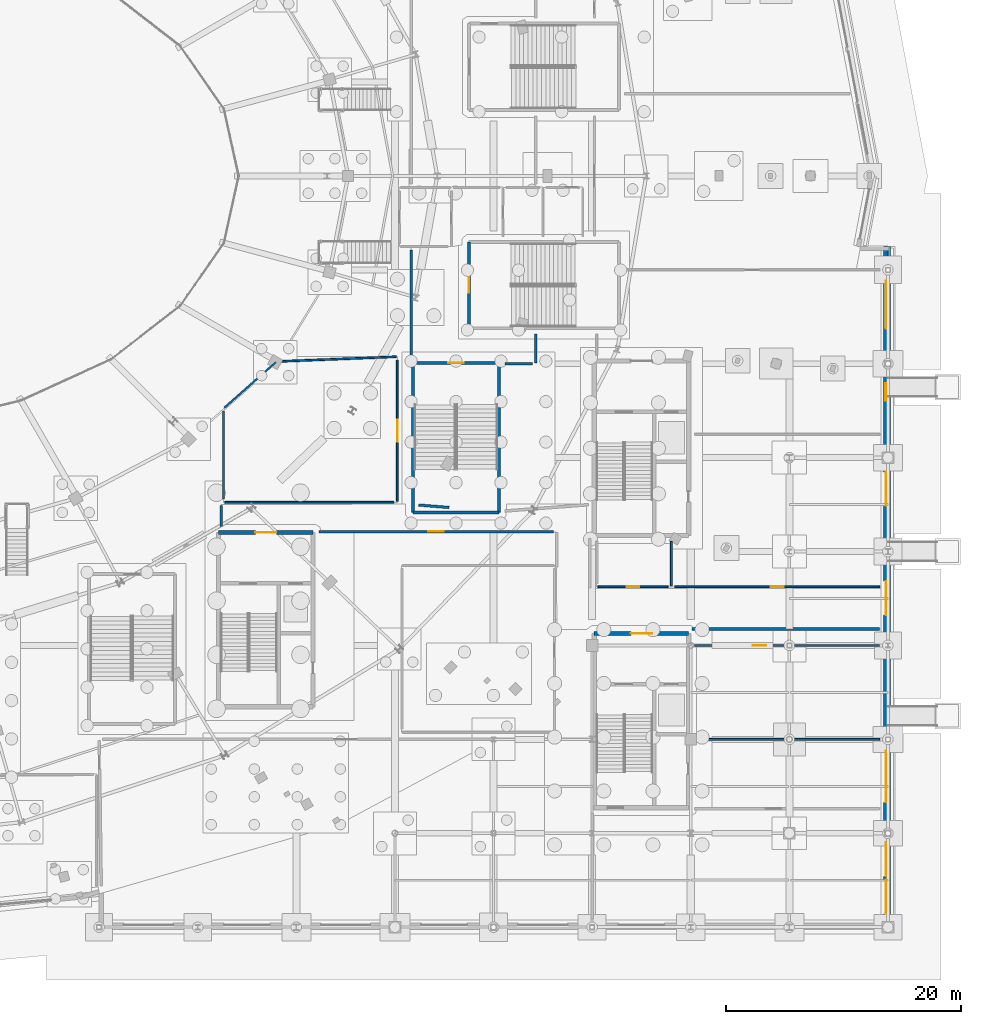
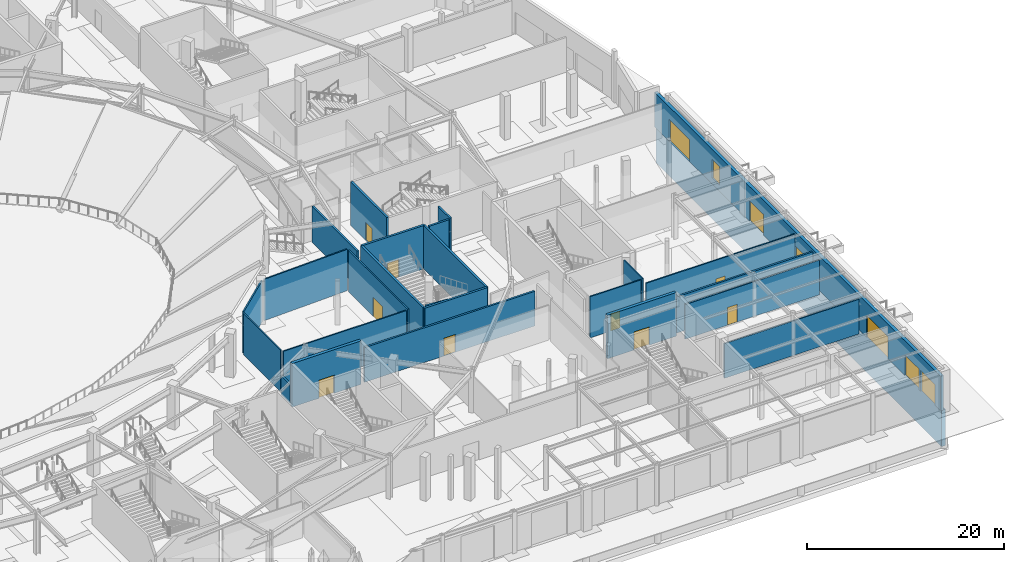
# One storey, part 61 of 93: 26 walls, 15 doors, 1 window, 16 openings.
"""IFC4 building model written with IfcOpenShell, lengths in metres."""

from ifc_helpers import new_model, si_unit, direction, frame, frame_2d, origin, place, context, subcontext, project, spatial, rectangle, extrude, material, layer, layer_set, type_object, element, fill, save


model = new_model("IFC4")

# Units and contexts
model_context = context("Model", 3, precision=1e-05, world=origin(), true_north=direction((0.0, 1.0)))
body_context = subcontext(model_context, "Body", "Model", "MODEL_VIEW")
ifc_project = project(units=[si_unit("LENGTHUNIT", "METRE"), si_unit("AREAUNIT", "SQUARE_METRE"), si_unit("VOLUMEUNIT", "CUBIC_METRE"), si_unit("PLANEANGLEUNIT", "RADIAN"), si_unit("MASSUNIT", "GRAM", prefix="KILO")], contexts=[model_context])

# Site, building, storey
site_placement = place(None, origin())
site = spatial("IfcSite", under=ifc_project, at=site_placement, CompositionType="ELEMENT")
building_placement = place(site_placement, origin())
building = spatial("IfcBuilding", under=site, at=building_placement, Name="Kalgoora Escarpment Arena", CompositionType="ELEMENT")
storey_placement = place(building_placement, origin())
storey = spatial("IfcBuildingStorey", under=building, at=storey_placement, Name="L00", CompositionType="ELEMENT", Elevation=0.0)

# Walls
ifc_material_1 = material(Name="Impact-resistant athlete corridor partition", Category="gypsum")
ifc_layer_1 = layer(ifc_material_1, 0.155029296875)
ifc_layer_set_1 = layer_set([ifc_layer_1], Name="WAL-BOH-155")
wall_type_1 = type_object("IfcWallType", Name="WAL-BOH-155", PredefinedType="PARTITIONING", material=ifc_layer_set_1)
wall_1_placement = place(storey_placement, frame((128.260009765625, 44.249755859375, 0.0), z_axis=(0.0, 0.0, 1.0), x_axis=(0.74963646176, 0.661849813175, 0.0)))
element("IfcWall", 1, at=wall_1_placement, inside=storey, type_object=wall_type_1, Name="L00 Practice Court partition wall", PredefinedType="PARTITIONING", context=body_context, shape_type="SweptSolid", body=[
    extrude(rectangle(XDim=5.87353515625, YDim=0.155029296875, at=frame_2d((2.936767578125, 0.0))), origin(), (0.0, 0.0, 1.0), 5.1201171875),
])
wall_2_placement = place(storey_placement, frame((132.95458984375, 48.19921875, 0.0), z_axis=(0.0, 0.0, 1.0), x_axis=(0.999205605293, 0.039851704486, 0.0)))
element("IfcWall", 2, at=wall_2_placement, inside=storey, type_object=wall_type_1, Name="L00 Practice Court partition wall", PredefinedType="PARTITIONING", context=body_context, shape_type="SweptSolid", body=[
    extrude(rectangle(XDim=9.973388671875, YDim=0.155029296875, at=frame_2d((4.98681640625, 0.0))), origin(), (0.0, 0.0, 1.0), 5.1201171875),
])

# Wall, opening, door
wall_3_placement = place(storey_placement, frame((143.0, 48.31201171875, 0.0), z_axis=(0.0, 0.0, 1.0), x_axis=(0.0, -1.0, 0.0)))
wall_3 = element("IfcWall", 3, at=wall_3_placement, inside=storey, type_object=wall_type_1, Name="L00 Practice Court partition wall", PredefinedType="PARTITIONING", context=body_context, shape_type="SweptSolid", body=[
    extrude(rectangle(XDim=12.031982421875, YDim=0.155029296875, at=frame_2d((6.01611328125, 0.0))), origin(), (0.0, 0.0, 1.0), 5.1201171875),
])
opening_1_placement = place(wall_3_placement, frame((5.06591796875, 0.0, 0.0)))
opening_1 = element("IfcOpeningElement", 4, at=opening_1_placement, cuts=wall_3, Name="Opening FD-I009", PredefinedType="OPENING", context=body_context, shape_type="SweptSolid", body=[
    extrude(rectangle(XDim=1.89990234375, YDim=2.35009765625, at=frame_2d((0.949951171875, 1.175048828125))), frame((0.0, 0.08740234375, 0.0), z_axis=(0.0, -1.0, 0.0), x_axis=(1.0, 0.0, 0.0)), (0.0, 0.0, 1.0), 0.175048828125),
])
ifc_material_2 = material(Name="Wide double athlete & equipment hall door")
door_type_1 = type_object("IfcDoorType", Name="DR-ATH-1900", OperationType="NOTDEFINED", PredefinedType="DOOR", material=ifc_material_2)
door_1_placement = place(opening_1_placement, origin())
door_1 = element("IfcDoor", 5, at=door_1_placement, inside=storey, type_object=door_type_1, Name="Practice Court entrance door", OperationType="DOUBLE_DOOR_SINGLE_SWING", OverallHeight=2.35009765625, OverallWidth=1.89990234375, PredefinedType="DOOR", context=body_context, shape_type="SweptSolid", body=[
    extrude(rectangle(XDim=1.89990234375, YDim=2.35009765625, at=frame_2d((0.949951171875, 1.175048828125))), frame((0.0, 0.02490234375, 0.0), z_axis=(0.0, -1.0, 0.0), x_axis=(1.0, 0.0, 0.0)), (0.0, 0.0, 1.0), 0.050048828125),
])
fill(opening_1, door_1)

# Walls
wall_4_placement = place(storey_placement, frame((142.715087890625, 36.199951171875, 0.0), z_axis=(0.0, 0.0, 1.0), x_axis=(-1.0, 0.0, 0.0)))
element("IfcWall", 6, at=wall_4_placement, inside=storey, type_object=wall_type_1, Name="L00 Practice Court partition wall", PredefinedType="PARTITIONING", context=body_context, shape_type="SweptSolid", body=[
    extrude(rectangle(XDim=14.43505859375, YDim=0.155029296875, at=frame_2d((7.217529296875, 0.0))), origin(), (0.0, 0.0, 1.0), 5.1201171875),
])
wall_5_placement = place(storey_placement, frame((128.199951171875, 36.48486328125, 0.0), z_axis=(0.0, 0.0, 1.0), x_axis=(0.0, 1.0, 0.0)))
element("IfcWall", 7, at=wall_5_placement, inside=storey, type_object=wall_type_1, Name="L00 Practice Court partition wall", PredefinedType="PARTITIONING", context=body_context, shape_type="SweptSolid", body=[
    extrude(rectangle(XDim=7.473388671875, YDim=0.155029296875, at=frame_2d((3.73681640625, 0.0))), origin(), (0.0, 0.0, 1.0), 5.1201171875),
])
wall_6_placement = place(storey_placement, frame((166.35009765625, 32.875, 0.0), z_axis=(0.0, 0.0, 1.0), x_axis=(0.0, -1.0, 0.0)))
element("IfcWall", 8, at=wall_6_placement, inside=storey, type_object=wall_type_1, Name="L00 Strength Conditioning Gym partition wall", PredefinedType="PARTITIONING", context=body_context, shape_type="SweptSolid", body=[
    extrude(rectangle(XDim=3.794921875, YDim=0.155029296875, at=frame_2d((1.8974609375, 0.0))), origin(), (0.0, 0.0, 1.0), 5.1201171875),
])

# Wall, opening, door
wall_7_placement = place(storey_placement, frame((166.065185546875, 29.0, 0.0), z_axis=(0.0, 0.0, 1.0), x_axis=(-1.0, 0.0, 0.0)))
wall_7 = element("IfcWall", 9, at=wall_7_placement, inside=storey, type_object=wall_type_1, Name="L00 Strength Conditioning Gym partition wall", PredefinedType="PARTITIONING", context=body_context, shape_type="SweptSolid", body=[
    extrude(rectangle(XDim=5.985107421875, YDim=0.155029296875, at=frame_2d((2.99267578125, 0.0))), origin(), (0.0, 0.0, 1.0), 5.1201171875),
])
opening_2_placement = place(wall_7_placement, frame((2.45263671875, 0.0, 0.0)))
opening_2 = element("IfcOpeningElement", 10, at=opening_2_placement, cuts=wall_7, Name="Opening FD-I015", PredefinedType="OPENING", context=body_context, shape_type="SweptSolid", body=[
    extrude(rectangle(XDim=1.080078125, YDim=2.14990234375, at=frame_2d((0.5400390625, 1.074951171875))), frame((0.0, 0.08740234375, 0.0), z_axis=(0.0, -1.0, 0.0), x_axis=(1.0, 0.0, 0.0)), (0.0, 0.0, 1.0), 0.175048828125),
])
ifc_material_3 = material(Name="Solid-core acoustic timber door", Category="wood")
door_type_2 = type_object("IfcDoorType", Name="DR-GEN-1080", OperationType="NOTDEFINED", PredefinedType="DOOR", material=ifc_material_3)
door_2_placement = place(opening_2_placement, origin())
door_2 = element("IfcDoor", 11, at=door_2_placement, inside=storey, type_object=door_type_2, Name="Strength Conditioning Gym entrance door", OperationType="SINGLE_SWING_RIGHT", OverallHeight=2.14990234375, OverallWidth=1.080078125, PredefinedType="DOOR", context=body_context, shape_type="SweptSolid", body=[
    extrude(rectangle(XDim=1.080078125, YDim=2.14990234375, at=frame_2d((0.5400390625, 1.074951171875))), frame((0.0, 0.02490234375, 0.0), z_axis=(0.0, -1.0, 0.0), x_axis=(1.0, 0.0, 0.0)), (0.0, 0.0, 1.0), 0.050048828125),
])
fill(opening_2, door_2)

wall_8_placement = place(storey_placement, frame((184.090087890625, 29.0, 0.0), z_axis=(0.0, 0.0, 1.0), x_axis=(-1.0, 0.0, 0.0)))
wall_8 = element("IfcWall", 12, at=wall_8_placement, inside=storey, type_object=wall_type_1, Name="L00 Strength Conditioning Gym 2 partition wall", PredefinedType="PARTITIONING", context=body_context, shape_type="SweptSolid", body=[
    extrude(rectangle(XDim=17.455322265625, YDim=0.155029296875, at=frame_2d((8.7275390625, 0.0))), origin(), (0.0, 0.0, 1.0), 4.48291015625),
])
opening_3_placement = place(wall_8_placement, frame((8.1875, 0.0, 0.0)))
opening_3 = element("IfcOpeningElement", 13, at=opening_3_placement, cuts=wall_8, Name="Opening FD-I016", PredefinedType="OPENING", context=body_context, shape_type="SweptSolid", body=[
    extrude(rectangle(XDim=1.080078125, YDim=2.14990234375, at=frame_2d((0.5400390625, 1.074951171875))), frame((0.0, 0.08740234375, 0.0), z_axis=(0.0, -1.0, 0.0), x_axis=(1.0, 0.0, 0.0)), (0.0, 0.0, 1.0), 0.175048828125),
])
door_3_placement = place(opening_3_placement, origin())
door_3 = element("IfcDoor", 14, at=door_3_placement, inside=storey, type_object=door_type_2, Name="Strength Conditioning Gym 2 entrance door", OperationType="SINGLE_SWING_LEFT", OverallHeight=2.14990234375, OverallWidth=1.080078125, PredefinedType="DOOR", context=body_context, shape_type="SweptSolid", body=[
    extrude(rectangle(XDim=1.080078125, YDim=2.14990234375, at=frame_2d((0.5400390625, 1.074951171875))), frame((0.0, 0.02490234375, 0.0), z_axis=(0.0, -1.0, 0.0), x_axis=(1.0, 0.0, 0.0)), (0.0, 0.0, 1.0), 0.050048828125),
])
fill(opening_3, door_3)

ifc_material_4 = material(Name="Concrete N50 (fc' 50 MPa)", Category="concrete")
ifc_layer_2 = layer(ifc_material_4, 0.35009765625)
ifc_layer_set_2 = layer_set([ifc_layer_2], Name="WAL-CORE-350")
wall_type_2 = type_object("IfcWallType", Name="WAL-CORE-350", PredefinedType="SHEAR", material=ifc_layer_set_2)
wall_9_placement = place(storey_placement, frame((127.77490234375, 33.625, 0.0), z_axis=(0.0, 0.0, 1.0), x_axis=(1.0, 0.0, 0.0)))
wall_9 = element("IfcWall", 15, at=wall_9_placement, inside=storey, type_object=wall_type_2, Name="Core C6 L00 north lobby wall", PredefinedType="SHEAR", context=body_context, shape_type="SweptSolid", body=[
    extrude(rectangle(XDim=8.050048828125, YDim=0.35009765625, at=frame_2d((4.02490234375, 0.0))), origin(), (0.0, 0.0, 1.0), 5.39990234375),
])
opening_4_placement = place(wall_9_placement, frame((3.125, 0.0, 0.0)))
opening_4 = element("IfcOpeningElement", 16, at=opening_4_placement, cuts=wall_9, Name="Opening FD-C6L", PredefinedType="OPENING", context=body_context, shape_type="SweptSolid", body=[
    extrude(rectangle(XDim=1.800048828125, YDim=2.25, at=frame_2d((0.89990234375, 1.125))), frame((0.0, 0.18505859375, 0.0), z_axis=(0.0, -1.0, 0.0), x_axis=(1.0, 0.0, 0.0)), (0.0, 0.0, 1.0), 0.3701171875),
])
ifc_material_5 = material(Name="Double fire-rated smoke-seal lobby door")
door_type_3 = type_object("IfcDoorType", Name="DR-LOBBY-1800", OperationType="NOTDEFINED", PredefinedType="DOOR", material=ifc_material_5)
door_4_placement = place(opening_4_placement, origin())
door_4 = element("IfcDoor", 17, at=door_4_placement, inside=storey, type_object=door_type_3, Name="Core C6 L00 smoke-lobby fire door", OperationType="DOUBLE_DOOR_SINGLE_SWING", OverallHeight=2.25, OverallWidth=1.800048828125, PredefinedType="DOOR", context=body_context, shape_type="SweptSolid", body=[
    extrude(rectangle(XDim=1.800048828125, YDim=2.25, at=frame_2d((0.89990234375, 1.125))), frame((0.0, 0.02490234375, 0.0), z_axis=(0.0, -1.0, 0.0), x_axis=(1.0, 0.0, 0.0)), (0.0, 0.0, 1.0), 0.050048828125),
])
fill(opening_4, door_4)

wall_10_placement = place(storey_placement, frame((159.77490234375, 25.02490234375, 0.0), z_axis=(0.0, 0.0, 1.0), x_axis=(1.0, 0.0, 0.0)))
wall_10 = element("IfcWall", 18, at=wall_10_placement, inside=storey, type_object=wall_type_2, Name="Core C8 L00 north lobby wall", PredefinedType="SHEAR", context=body_context, shape_type="SweptSolid", body=[
    extrude(rectangle(XDim=8.050048828125, YDim=0.35009765625, at=frame_2d((4.02490234375, 0.0))), origin(), (0.0, 0.0, 1.0), 5.39990234375),
])
opening_5_placement = place(wall_10_placement, frame((3.125, 0.0, 0.0)))
opening_5 = element("IfcOpeningElement", 19, at=opening_5_placement, cuts=wall_10, Name="Opening FD-C8L", PredefinedType="OPENING", context=body_context, shape_type="SweptSolid", body=[
    extrude(rectangle(XDim=1.800048828125, YDim=2.25, at=frame_2d((0.89990234375, 1.125))), frame((0.0, 0.18505859375, 0.0), z_axis=(0.0, -1.0, 0.0), x_axis=(1.0, 0.0, 0.0)), (0.0, 0.0, 1.0), 0.3701171875),
])
door_5_placement = place(opening_5_placement, origin())
door_5 = element("IfcDoor", 20, at=door_5_placement, inside=storey, type_object=door_type_3, Name="Core C8 L00 smoke-lobby fire door", OperationType="DOUBLE_DOOR_SINGLE_SWING", OverallHeight=2.25, OverallWidth=1.800048828125, PredefinedType="DOOR", context=body_context, shape_type="SweptSolid", body=[
    extrude(rectangle(XDim=1.800048828125, YDim=2.25, at=frame_2d((0.89990234375, 1.125))), frame((0.0, 0.02490234375, 0.0), z_axis=(0.0, -1.0, 0.0), x_axis=(1.0, 0.0, 0.0)), (0.0, 0.0, 1.0), 0.050048828125),
])
fill(opening_5, door_5)

# Wall, openings, doors, window
ifc_material_6 = material(Name="Cream limestone-faced precast concrete 40 MPa", Category="masonry")
ifc_layer_3 = layer(ifc_material_6, 0.360107421875)
ifc_layer_set_3 = layer_set([ifc_layer_3], Name="WAL-EXT-360")
wall_type_3 = type_object("IfcWallType", Name="WAL-EXT-360", PredefinedType="SOLIDWALL", material=ifc_layer_set_3)
wall_11_placement = place(storey_placement, frame((184.6201171875, 58.043212890625, 0.0), z_axis=(0.0, 0.0, 1.0), x_axis=(0.0, -1.0, 0.0)))
wall_11 = element("IfcWall", 21, at=wall_11_placement, inside=storey, type_object=wall_type_3, Name="L00 limestone-faced external wall 001", PredefinedType="SOLIDWALL", context=body_context, shape_type="SweptSolid", body=[
    extrude(rectangle(XDim=58.08642578125, YDim=0.360107421875, at=frame_2d((29.043212890625, 0.0))), origin(), (0.0, 0.0, 1.0), 4.294921875),
])
opening_6_placement = place(wall_11_placement, frame((50.81005859375, 0.0, 0.0)))
opening_6 = element("IfcOpeningElement", 22, at=opening_6_placement, cuts=wall_11, Name="Opening G06", PredefinedType="OPENING", context=body_context, shape_type="SweptSolid", body=[
    extrude(rectangle(XDim=2.89990234375, YDim=2.550048828125, at=frame_2d((1.449951171875, 1.27490234375))), frame((0.0, 0.18994140625, 0.0), z_axis=(0.0, -1.0, 0.0), x_axis=(1.0, 0.0, 0.0)), (0.0, 0.0, 1.0), 0.380126953125),
])
opening_7_placement = place(wall_11_placement, frame((28.56005859375, 0.0, 0.0)))
opening_7 = element("IfcOpeningElement", 23, at=opening_7_placement, cuts=wall_11, Name="Opening G07", PredefinedType="OPENING", context=body_context, shape_type="SweptSolid", body=[
    extrude(rectangle(XDim=2.89990234375, YDim=2.550048828125, at=frame_2d((1.449951171875, 1.27490234375))), frame((0.0, 0.18994140625, 0.0), z_axis=(0.0, -1.0, 0.0), x_axis=(1.0, 0.0, 0.0)), (0.0, 0.0, 1.0), 0.380126953125),
])
opening_8_placement = place(wall_11_placement, frame((2.97998046875, 0.0, 0.0)))
opening_8 = element("IfcOpeningElement", 24, at=opening_8_placement, cuts=wall_11, Name="Opening G12", PredefinedType="OPENING", context=body_context, shape_type="SweptSolid", body=[
    extrude(rectangle(XDim=4.10009765625, YDim=2.699951171875, at=frame_2d((2.050048828125, 1.35009765625))), frame((0.0, 0.18994140625, 0.0), z_axis=(0.0, -1.0, 0.0), x_axis=(1.0, 0.0, 0.0)), (0.0, 0.0, 1.0), 0.380126953125),
])
opening_9_placement = place(wall_11_placement, frame((43.02001953125, 0.0, 0.0)))
opening_9 = element("IfcOpeningElement", 25, at=opening_9_placement, cuts=wall_11, Name="Opening G13", PredefinedType="OPENING", context=body_context, shape_type="SweptSolid", body=[
    extrude(rectangle(XDim=4.39990234375, YDim=2.75, at=frame_2d((2.199951171875, 1.375))), frame((0.0, 0.18994140625, 0.0), z_axis=(0.0, -1.0, 0.0), x_axis=(1.0, 0.0, 0.0)), (0.0, 0.0, 1.0), 0.380126953125),
])
opening_10_placement = place(wall_11_placement, frame((19.260009765625, 0.0, 0.0)))
opening_10 = element("IfcOpeningElement", 26, at=opening_10_placement, cuts=wall_11, Name="Opening G47", PredefinedType="OPENING", context=body_context, shape_type="SweptSolid", body=[
    extrude(rectangle(XDim=2.89990234375, YDim=2.550048828125, at=frame_2d((1.449951171875, 1.27490234375))), frame((0.0, 0.18994140625, 0.0), z_axis=(0.0, -1.0, 0.0), x_axis=(1.0, 0.0, 0.0)), (0.0, 0.0, 1.0), 0.380126953125),
])
opening_11_placement = place(wall_11_placement, frame((54.02001953125, 0.0, 0.0)))
opening_11 = element("IfcOpeningElement", 27, at=opening_11_placement, cuts=wall_11, Name="Opening G48", PredefinedType="OPENING", context=body_context, shape_type="SweptSolid", body=[
    extrude(rectangle(XDim=2.89990234375, YDim=2.550048828125, at=frame_2d((1.449951171875, 1.27490234375))), frame((0.0, 0.18994140625, 0.0), z_axis=(0.0, -1.0, 0.0), x_axis=(1.0, 0.0, 0.0)), (0.0, 0.0, 1.0), 0.380126953125),
])
opening_12_placement = place(wall_11_placement, frame((11.699951171875, 0.0, 0.75)))
opening_12 = element("IfcOpeningElement", 28, at=opening_12_placement, cuts=wall_11, Name="Opening W-03", PredefinedType="OPENING", context=body_context, shape_type="SweptSolid", body=[
    extrude(rectangle(XDim=1.5, YDim=2.300048828125, at=frame_2d((0.75, 1.14990234375))), frame((0.0, 0.18994140625, 0.0), z_axis=(0.0, -1.0, 0.0), x_axis=(1.0, 0.0, 0.0)), (0.0, 0.0, 1.0), 0.380126953125),
])
ifc_material_7 = material(Name="Champagne anodised aluminium acoustic egress leaf", Category="aluminium")
door_type_4 = type_object("IfcDoorType", Name="DR-EGEXIT-2700", OperationType="NOTDEFINED", PredefinedType="DOOR", material=ifc_material_7)
door_6_placement = place(opening_8_placement, origin())
door_6 = element("IfcDoor", 29, at=door_6_placement, inside=storey, type_object=door_type_4, Name="Final pedestrian exit door G12", OperationType="DOUBLE_DOOR_SINGLE_SWING", OverallHeight=2.699951171875, OverallWidth=4.10009765625, PredefinedType="DOOR", context=body_context, shape_type="SweptSolid", body=[
    extrude(rectangle(XDim=4.10009765625, YDim=2.699951171875, at=frame_2d((2.050048828125, 1.35009765625))), frame((0.0, 0.02490234375, 0.0), z_axis=(0.0, -1.0, 0.0), x_axis=(1.0, 0.0, 0.0)), (0.0, 0.0, 1.0), 0.050048828125),
])
fill(opening_8, door_6)
ifc_material_8 = material(Name="Champagne anodised aluminium acoustic egress leaf", Category="aluminium")
door_type_5 = type_object("IfcDoorType", Name="DR-EGEXIT-2850", OperationType="NOTDEFINED", PredefinedType="DOOR", material=ifc_material_8)
door_7_placement = place(opening_9_placement, origin())
door_7 = element("IfcDoor", 30, at=door_7_placement, inside=storey, type_object=door_type_5, Name="Final pedestrian exit door G13", OperationType="DOUBLE_DOOR_SINGLE_SWING", OverallHeight=2.75, OverallWidth=4.39990234375, PredefinedType="DOOR", context=body_context, shape_type="SweptSolid", body=[
    extrude(rectangle(XDim=4.39990234375, YDim=2.75, at=frame_2d((2.199951171875, 1.375))), frame((0.0, 0.02490234375, 0.0), z_axis=(0.0, -1.0, 0.0), x_axis=(1.0, 0.0, 0.0)), (0.0, 0.0, 1.0), 0.050048828125),
])
fill(opening_9, door_7)
ifc_material_9 = material(Name="Champagne anodised aluminium pedestrian egress gate leaf", Category="aluminium")
door_type_6 = type_object("IfcDoorType", Name="DR-PEDGATE-2900", OperationType="NOTDEFINED", PredefinedType="DOOR", material=ifc_material_9)
door_8_placement = place(opening_6_placement, origin())
door_8 = element("IfcDoor", 31, at=door_8_placement, inside=storey, type_object=door_type_6, Name="Final pedestrian exit door G06", OperationType="DOUBLE_DOOR_SINGLE_SWING", OverallHeight=2.550048828125, OverallWidth=2.89990234375, PredefinedType="DOOR", context=body_context, shape_type="SweptSolid", body=[
    extrude(rectangle(XDim=2.89990234375, YDim=2.550048828125, at=frame_2d((1.449951171875, 1.27490234375))), frame((0.0, 0.02490234375, 0.0), z_axis=(0.0, -1.0, 0.0), x_axis=(1.0, 0.0, 0.0)), (0.0, 0.0, 1.0), 0.050048828125),
])
fill(opening_6, door_8)
door_9_placement = place(opening_7_placement, origin())
door_9 = element("IfcDoor", 32, at=door_9_placement, inside=storey, type_object=door_type_6, Name="Final pedestrian exit door G07", OperationType="DOUBLE_DOOR_SINGLE_SWING", OverallHeight=2.550048828125, OverallWidth=2.89990234375, PredefinedType="DOOR", context=body_context, shape_type="SweptSolid", body=[
    extrude(rectangle(XDim=2.89990234375, YDim=2.550048828125, at=frame_2d((1.449951171875, 1.27490234375))), frame((0.0, 0.02490234375, 0.0), z_axis=(0.0, -1.0, 0.0), x_axis=(1.0, 0.0, 0.0)), (0.0, 0.0, 1.0), 0.050048828125),
])
fill(opening_7, door_9)
door_10_placement = place(opening_10_placement, origin())
door_10 = element("IfcDoor", 33, at=door_10_placement, inside=storey, type_object=door_type_6, Name="Final pedestrian exit door G47", OperationType="DOUBLE_DOOR_SINGLE_SWING", OverallHeight=2.550048828125, OverallWidth=2.89990234375, PredefinedType="DOOR", context=body_context, shape_type="SweptSolid", body=[
    extrude(rectangle(XDim=2.89990234375, YDim=2.550048828125, at=frame_2d((1.449951171875, 1.27490234375))), frame((0.0, 0.02490234375, 0.0), z_axis=(0.0, -1.0, 0.0), x_axis=(1.0, 0.0, 0.0)), (0.0, 0.0, 1.0), 0.050048828125),
])
fill(opening_10, door_10)
door_11_placement = place(opening_11_placement, origin())
door_11 = element("IfcDoor", 34, at=door_11_placement, inside=storey, type_object=door_type_6, Name="Final pedestrian exit door G48", OperationType="DOUBLE_DOOR_SINGLE_SWING", OverallHeight=2.550048828125, OverallWidth=2.89990234375, PredefinedType="DOOR", context=body_context, shape_type="SweptSolid", body=[
    extrude(rectangle(XDim=2.89990234375, YDim=2.550048828125, at=frame_2d((1.449951171875, 1.27490234375))), frame((0.0, 0.02490234375, 0.0), z_axis=(0.0, -1.0, 0.0), x_axis=(1.0, 0.0, 0.0)), (0.0, 0.0, 1.0), 0.050048828125),
])
fill(opening_11, door_11)
ifc_material_10 = material(Name="Low-E solar-control double glazing in champagne frame", Category="glass")
window_type = type_object("IfcWindowType", Name="WIN-DECO-1500x2300", PartitioningType="SINGLE_PANEL", PredefinedType="WINDOW", material=ifc_material_10)
window_placement = place(opening_12_placement, origin())
window = element("IfcWindow", 35, at=window_placement, inside=storey, type_object=window_type, Name="L00 scheduled facade window 001", OverallHeight=2.300048828125, OverallWidth=1.5, PartitioningType="SINGLE_PANEL", PredefinedType="WINDOW", context=body_context, shape_type="SweptSolid", body=[
    extrude(rectangle(XDim=1.5, YDim=2.300048828125, at=frame_2d((0.75, 1.14990234375))), frame((0.0, 0.030029296875, 0.0), z_axis=(0.0, -1.0, 0.0), x_axis=(1.0, 0.0, 0.0)), (0.0, 0.0, 1.0), 0.06005859375),
])
fill(opening_12, window)

# Walls
ifc_material_11 = material(Name="Autoclaved aerated blockwork Concrete N40 (fc' 40 MPa)", Category="masonry")
ifc_layer_4 = layer(ifc_material_11, 0.219970703125)
ifc_layer_set_4 = layer_set([ifc_layer_4], Name="WAL-FIRE-220")
wall_type_4 = type_object("IfcWallType", Name="WAL-FIRE-220", PredefinedType="SOLIDWALL", material=ifc_layer_set_4)
wall_12_placement = place(storey_placement, frame((154.800048828125, 50.52490234375, 0.0), z_axis=(0.0, 0.0, 1.0), x_axis=(0.0, -1.0, 0.0)))
element("IfcWall", 36, at=wall_12_placement, inside=storey, type_object=wall_type_4, Name="L00 North-East Protected Exit Passageway partition wall", PredefinedType="SOLIDWALL", context=body_context, shape_type="SweptSolid", body=[
    extrude(rectangle(XDim=2.44482421875, YDim=0.219970703125, at=frame_2d((1.222412109375, 0.0))), origin(), (0.0, 0.0, 1.0), 5.1201171875),
])
wall_13_placement = place(storey_placement, frame((154.51513671875, 48.0, 0.0), z_axis=(0.0, 0.0, 1.0), x_axis=(-1.0, 0.0, 0.0)))
element("IfcWall", 37, at=wall_13_placement, inside=storey, type_object=wall_type_4, Name="L00 North-East Protected Exit Passageway partition wall", PredefinedType="SOLIDWALL", context=body_context, shape_type="SweptSolid", body=[
    extrude(rectangle(XDim=2.340087890625, YDim=0.219970703125, at=frame_2d((1.169921875, 0.0))), origin(), (0.0, 0.0, 1.0), 5.1201171875),
])
wall_14_placement = place(storey_placement, frame((144.199951171875, 48.555908203125, 0.0), z_axis=(0.0, 0.0, 1.0), x_axis=(0.0, 1.0, 0.0)))
element("IfcWall", 38, at=wall_14_placement, inside=storey, type_object=wall_type_4, Name="L00 North-East Protected Exit Passageway partition wall", PredefinedType="SOLIDWALL", context=body_context, shape_type="SweptSolid", body=[
    extrude(rectangle(XDim=9.14404296875, YDim=0.219970703125, at=frame_2d((4.572021484375, 0.0))), origin(), (0.0, 0.0, 1.0), 4.48291015625),
])
wall_15_placement = place(storey_placement, frame((184.090087890625, 25.39990234375, 0.0), z_axis=(0.0, 0.0, 1.0), x_axis=(-1.0, 0.0, 0.0)))
element("IfcWall", 39, at=wall_15_placement, inside=storey, type_object=wall_type_4, Name="L00 East Protected Exit Passageway partition wall", PredefinedType="SOLIDWALL", context=body_context, shape_type="SweptSolid", body=[
    extrude(rectangle(XDim=15.996826171875, YDim=0.219970703125, at=frame_2d((7.99853515625, 0.0))), origin(), (0.0, 0.0, 1.0), 4.48291015625),
])

# Wall, opening, door
wall_16_placement = place(storey_placement, frame((156.315185546875, 33.699951171875, 0.0), z_axis=(0.0, 0.0, 1.0), x_axis=(-1.0, 0.0, 0.0)))
wall_16 = element("IfcWall", 40, at=wall_16_placement, inside=storey, type_object=wall_type_4, Name="L00 East Protected Exit Passageway partition wall", PredefinedType="SOLIDWALL", context=body_context, shape_type="SweptSolid", body=[
    extrude(rectangle(XDim=19.9970703125, YDim=0.219970703125, at=frame_2d((9.99853515625, 0.0))), origin(), (0.0, 0.0, 1.0), 4.294921875),
])
opening_13_placement = place(wall_16_placement, frame((9.338623046875, 0.0, 0.0)))
opening_13 = element("IfcOpeningElement", 41, at=opening_13_placement, cuts=wall_16, Name="Opening FD-I039", PredefinedType="OPENING", context=body_context, shape_type="SweptSolid", body=[
    extrude(rectangle(XDim=1.320068359375, YDim=2.199951171875, at=frame_2d((0.66015625, 1.10009765625))), frame((0.0, 0.119873046875, 0.0), z_axis=(0.0, -1.0, 0.0), x_axis=(1.0, 0.0, 0.0)), (0.0, 0.0, 1.0), 0.239990234375),
])
ifc_material_12 = material(Name="Fire-rated steel stair leaf with vision panel", Category="steel")
door_type_7 = type_object("IfcDoorType", Name="DR-STAIR-1320", OperationType="NOTDEFINED", PredefinedType="DOOR", material=ifc_material_12)
door_12_placement = place(opening_13_placement, origin())
door_12 = element("IfcDoor", 42, at=door_12_placement, inside=storey, type_object=door_type_7, Name="East Protected Exit Passageway entrance door", OperationType="SINGLE_SWING_RIGHT", OverallHeight=2.199951171875, OverallWidth=1.320068359375, PredefinedType="DOOR", context=body_context, shape_type="SweptSolid", body=[
    extrude(rectangle(XDim=1.320068359375, YDim=2.199951171875, at=frame_2d((0.66015625, 1.10009765625))), frame((0.0, 0.02490234375, 0.0), z_axis=(0.0, -1.0, 0.0), x_axis=(1.0, 0.0, 0.0)), (0.0, 0.0, 1.0), 0.050048828125),
])
fill(opening_13, door_12)

# Walls
wall_17_placement = place(storey_placement, frame((128.0, 34.125, 0.0), z_axis=(0.0, 0.0, 1.0), x_axis=(0.0, 1.0, 0.0)))
element("IfcWall", 43, at=wall_17_placement, inside=storey, type_object=wall_type_4, Name="L00 East Protected Exit Passageway partition wall", PredefinedType="SOLIDWALL", context=body_context, shape_type="SweptSolid", body=[
    extrude(rectangle(XDim=1.794921875, YDim=0.219970703125, at=frame_2d((0.8974609375, 0.0))), origin(), (0.0, 0.0, 1.0), 2.322998046875),
])
wall_18_placement = place(storey_placement, frame((144.82470703125, 35.9658203125, 0.0), z_axis=(0.0, 0.0, 1.0), x_axis=(0.996611420091, -0.08225373757, 0.0)))
element("IfcWall", 44, at=wall_18_placement, inside=storey, type_object=wall_type_4, Name="L00 East Protected Exit Passageway partition wall", PredefinedType="SOLIDWALL", context=body_context, shape_type="SweptSolid", body=[
    extrude(rectangle(XDim=2.60302734375, YDim=0.219970703125, at=frame_2d((1.301513671875, 0.0))), origin(), (0.0, 0.0, 1.0), 5.1201171875),
])

# Wall, opening, door
ifc_material_13 = material(Name="Broadcast acoustic double-stud partition", Category="gypsum")
ifc_layer_5 = layer(ifc_material_13, 0.1650390625)
ifc_layer_set_5 = layer_set([ifc_layer_5], Name="WAL-MED-165")
wall_type_5 = type_object("IfcWallType", Name="WAL-MED-165", PredefinedType="PARTITIONING", material=ifc_layer_set_5)
wall_19_placement = place(storey_placement, frame((168.324951171875, 24.0, 0.0), z_axis=(0.0, 0.0, 1.0), x_axis=(1.0, 0.0, 0.0)))
wall_19 = element("IfcWall", 45, at=wall_19_placement, inside=storey, type_object=wall_type_5, Name="L00 Broadcast Compound OB Hall partition wall", PredefinedType="PARTITIONING", context=body_context, shape_type="SweptSolid", body=[
    extrude(rectangle(XDim=15.76513671875, YDim=0.1650390625, at=frame_2d((7.882568359375, 0.0))), origin(), (0.0, 0.0, 1.0), 4.294921875),
])
opening_14_placement = place(wall_19_placement, frame((4.968994140625, 0.0, 0.0)))
opening_14 = element("IfcOpeningElement", 46, at=opening_14_placement, cuts=wall_19, Name="Opening FD-I026", PredefinedType="OPENING", context=body_context, shape_type="SweptSolid", body=[
    extrude(rectangle(XDim=1.14990234375, YDim=2.199951171875, at=frame_2d((0.574951171875, 1.10009765625))), frame((0.0, 0.092529296875, 0.0), z_axis=(0.0, -1.0, 0.0), x_axis=(1.0, 0.0, 0.0)), (0.0, 0.0, 1.0), 0.18505859375),
])
ifc_material_14 = material(Name="Acoustic seal commentary suite leaf")
door_type_8 = type_object("IfcDoorType", Name="DR-MED-1150", OperationType="NOTDEFINED", PredefinedType="DOOR", material=ifc_material_14)
door_13_placement = place(opening_14_placement, origin())
door_13 = element("IfcDoor", 47, at=door_13_placement, inside=storey, type_object=door_type_8, Name="Broadcast Compound OB Hall entrance door", OperationType="SINGLE_SWING_LEFT", OverallHeight=2.199951171875, OverallWidth=1.14990234375, PredefinedType="DOOR", context=body_context, shape_type="SweptSolid", body=[
    extrude(rectangle(XDim=1.14990234375, YDim=2.199951171875, at=frame_2d((0.574951171875, 1.10009765625))), frame((0.0, 0.02490234375, 0.0), z_axis=(0.0, -1.0, 0.0), x_axis=(1.0, 0.0, 0.0)), (0.0, 0.0, 1.0), 0.050048828125),
])
fill(opening_14, door_13)

# Walls
wall_20_placement = place(storey_placement, frame((184.090087890625, 16.0, 0.0), z_axis=(0.0, 0.0, 1.0), x_axis=(-1.0, 0.0, 0.0)))
element("IfcWall", 48, at=wall_20_placement, inside=storey, type_object=wall_type_5, Name="L00 Broadcast Compound OB Hall partition wall", PredefinedType="PARTITIONING", context=body_context, shape_type="SweptSolid", body=[
    extrude(rectangle(XDim=15.76513671875, YDim=0.1650390625, at=frame_2d((7.882568359375, 0.0))), origin(), (0.0, 0.0, 1.0), 4.294921875),
])
ifc_material_15 = material(Name="Concrete N40 (fc' 40 MPa)", Category="concrete")
ifc_layer_6 = layer(ifc_material_15, 0.43994140625)
ifc_layer_set_6 = layer_set([ifc_layer_6], Name="WAL-RET-440")
wall_type_6 = type_object("IfcWallType", Name="WAL-RET-440", PredefinedType="USERDEFINED", material=ifc_layer_set_6)
wall_21_placement = place(storey_placement, frame((184.800048828125, 58.0, -4.5), z_axis=(0.0, 0.0, 1.0), x_axis=(0.0, -1.0, 0.0)))
element("IfcWall", 49, at=wall_21_placement, inside=storey, type_object=wall_type_6, Name="Escarpment stepped limestone plinth retaining wall 01", ObjectType="RETAININGWALL", PredefinedType="USERDEFINED", context=body_context, shape_type="SweptSolid", body=[
    extrude(rectangle(XDim=58.0, YDim=0.43994140625, at=frame_2d((29.0, 0.0))), origin(), (0.0, 0.0, 1.0), 4.5),
])

# Wall, opening, door
ifc_material_16 = material(Name="Concrete N50 (fc' 50 MPa)", Category="concrete")
ifc_layer_7 = layer(ifc_material_16, 0.25)
ifc_layer_set_7 = layer_set([ifc_layer_7], Name="WAL-STAIR-250")
wall_type_7 = type_object("IfcWallType", Name="WAL-STAIR-250", PredefinedType="SHEAR", material=ifc_layer_set_7)
wall_22_placement = place(storey_placement, frame((149.125, 51.02490234375, 0.0), z_axis=(0.0, 0.0, 1.0), x_axis=(0.0, 1.0, 0.0)))
wall_22 = element("IfcWall", 50, at=wall_22_placement, inside=storey, type_object=wall_type_7, Name="Exit stair ST22 L00 west wall", PredefinedType="SHEAR", context=body_context, shape_type="SweptSolid", body=[
    extrude(rectangle(XDim=7.35009765625, YDim=0.25, at=frame_2d((3.675048828125, 0.0))), origin(), (0.0, 0.0, 1.0), 5.39990234375),
])
opening_15_placement = place(wall_22_placement, frame((3.014892578125, 0.0, 0.0)))
opening_15 = element("IfcOpeningElement", 51, at=opening_15_placement, cuts=wall_22, Name="Opening FD-ST22", PredefinedType="OPENING", context=body_context, shape_type="SweptSolid", body=[
    extrude(rectangle(XDim=1.320068359375, YDim=2.199951171875, at=frame_2d((0.66015625, 1.10009765625))), frame((0.0, 0.135009765625, 0.0), z_axis=(0.0, -1.0, 0.0), x_axis=(1.0, 0.0, 0.0)), (0.0, 0.0, 1.0), 0.27001953125),
])
door_14_placement = place(opening_15_placement, origin())
door_14 = element("IfcDoor", 52, at=door_14_placement, inside=storey, type_object=door_type_7, Name="Fire-isolated stair ST22 L00 egress door", OperationType="SINGLE_SWING_RIGHT", OverallHeight=2.199951171875, OverallWidth=1.320068359375, PredefinedType="DOOR", context=body_context, shape_type="SweptSolid", body=[
    extrude(rectangle(XDim=1.320068359375, YDim=2.199951171875, at=frame_2d((0.66015625, 1.10009765625))), frame((0.0, 0.02490234375, 0.0), z_axis=(0.0, -1.0, 0.0), x_axis=(1.0, 0.0, 0.0)), (0.0, 0.0, 1.0), 0.050048828125),
])
fill(opening_15, door_14)

# Wall
wall_23_placement = place(storey_placement, frame((144.324951171875, 35.324951171875, 0.0), z_axis=(0.0, 0.0, 1.0), x_axis=(1.0, 0.0, 0.0)))
element("IfcWall", 53, at=wall_23_placement, inside=storey, type_object=wall_type_7, Name="Exit stair ST24 L00 south wall", PredefinedType="SHEAR", context=body_context, shape_type="SweptSolid", body=[
    extrude(rectangle(XDim=7.35009765625, YDim=0.25, at=frame_2d((3.675048828125, 0.0))), origin(), (0.0, 0.0, 1.0), 5.39990234375),
])

# Wall, opening, door
wall_24_placement = place(storey_placement, frame((144.324951171875, 48.074951171875, 0.0), z_axis=(0.0, 0.0, 1.0), x_axis=(1.0, 0.0, 0.0)))
wall_24 = element("IfcWall", 54, at=wall_24_placement, inside=storey, type_object=wall_type_7, Name="Exit stair ST24 L00 north wall", PredefinedType="SHEAR", context=body_context, shape_type="SweptSolid", body=[
    extrude(rectangle(XDim=7.35009765625, YDim=0.25, at=frame_2d((3.675048828125, 0.0))), origin(), (0.0, 0.0, 1.0), 5.39990234375),
])
opening_16_placement = place(wall_24_placement, frame((3.014892578125, 0.0, 0.0)))
opening_16 = element("IfcOpeningElement", 55, at=opening_16_placement, cuts=wall_24, Name="Opening FD-ST24", PredefinedType="OPENING", context=body_context, shape_type="SweptSolid", body=[
    extrude(rectangle(XDim=1.320068359375, YDim=2.199951171875, at=frame_2d((0.66015625, 1.10009765625))), frame((0.0, 0.135009765625, 0.0), z_axis=(0.0, -1.0, 0.0), x_axis=(1.0, 0.0, 0.0)), (0.0, 0.0, 1.0), 0.27001953125),
])
door_15_placement = place(opening_16_placement, origin())
door_15 = element("IfcDoor", 56, at=door_15_placement, inside=storey, type_object=door_type_7, Name="Fire-isolated stair ST24 L00 egress door", OperationType="SINGLE_SWING_RIGHT", OverallHeight=2.199951171875, OverallWidth=1.320068359375, PredefinedType="DOOR", context=body_context, shape_type="SweptSolid", body=[
    extrude(rectangle(XDim=1.320068359375, YDim=2.199951171875, at=frame_2d((0.66015625, 1.10009765625))), frame((0.0, 0.02490234375, 0.0), z_axis=(0.0, -1.0, 0.0), x_axis=(1.0, 0.0, 0.0)), (0.0, 0.0, 1.0), 0.050048828125),
])
fill(opening_16, door_15)

# Walls
for number, where, z_axis, x_axis, name in (
    (57, (144.324951171875, 35.324951171875, 0.0), (0.0, 0.0, 1.0), (0.0, 1.0, 0.0), "Exit stair ST24 L00 west wall"),
    (58, (151.675048828125, 35.324951171875, 0.0), (0.0, 0.0, 1.0), (0.0, 1.0, 0.0), "Exit stair ST24 L00 east wall"),
):
    element("IfcWall", number, at=place(storey_placement, frame(where, z_axis=z_axis, x_axis=x_axis)), inside=storey, type_object=wall_type_7, Name=name, PredefinedType="SHEAR", context=body_context, shape_type="SweptSolid", body=[
        extrude(rectangle(XDim=12.75, YDim=0.25, at=frame_2d((6.375, 0.0))), origin(), (0.0, 0.0, 1.0), 5.39990234375),
    ])

save(model, "model.ifc")
